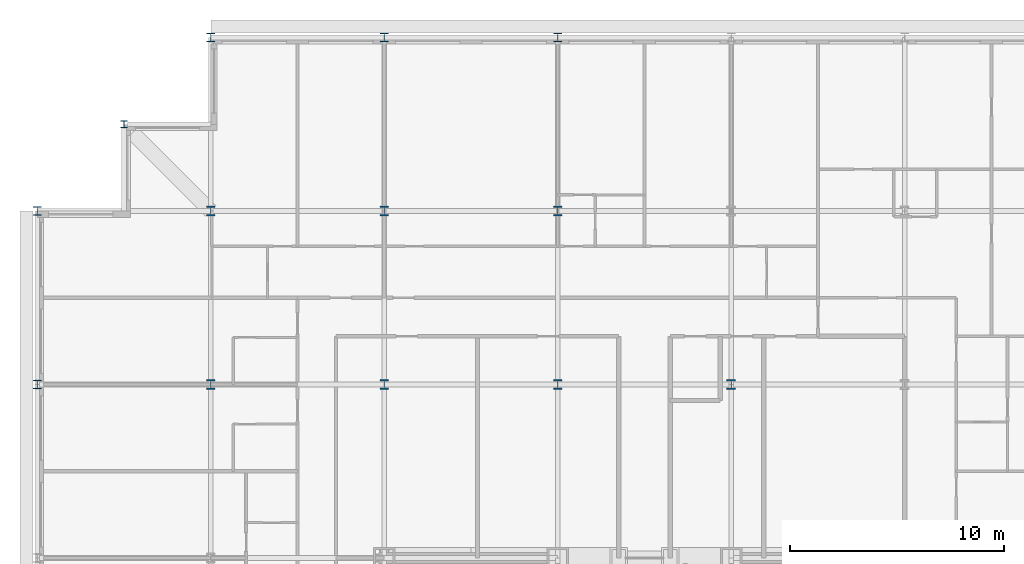
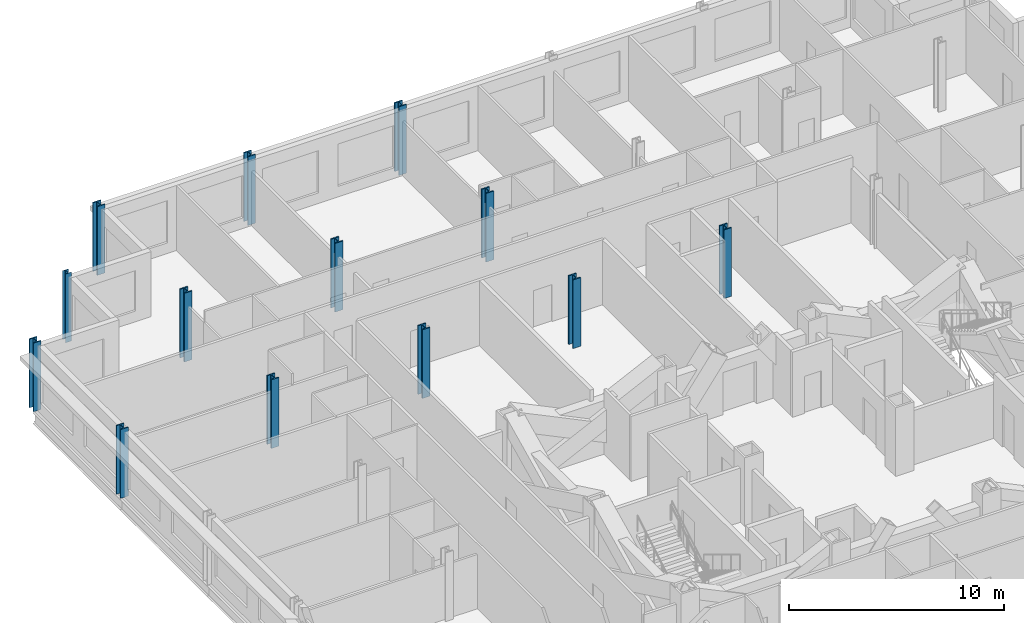
# One storey, part 3 of 15: 13 columns.
"""IFC4 building model written with IfcOpenShell, lengths in metres."""

from ifc_helpers import new_model, si_unit, direction, frame, origin, origin_2d, place, context, subcontext, project, spatial, i_section, extrude, material, material_profile, profile_set, type_object, element, save


model = new_model("IFC4")

# Units and contexts
model_context = context("Model", 3, precision=1e-05, world=origin(), true_north=direction((0.0, 1.0)))
body_context = subcontext(model_context, "Body", "Model", "MODEL_VIEW")
ifc_project = project(units=[si_unit("LENGTHUNIT", "METRE"), si_unit("AREAUNIT", "SQUARE_METRE"), si_unit("VOLUMEUNIT", "CUBIC_METRE"), si_unit("PLANEANGLEUNIT", "RADIAN"), si_unit("MASSUNIT", "GRAM", prefix="KILO")], contexts=[model_context])

# Site, building, storey
site_placement = place(None, origin())
site = spatial("IfcSite", under=ifc_project, at=site_placement, CompositionType="ELEMENT")
building_placement = place(site_placement, origin())
building = spatial("IfcBuilding", under=site, at=building_placement, Name="Kopane Lantern Tower", CompositionType="ELEMENT")
storey_placement = place(building_placement, frame((0.0, 0.0, 254.10009765625)))
storey = spatial("IfcBuildingStorey", under=building, at=storey_placement, Name="L65", CompositionType="ELEMENT", Elevation=254.10009765625)

# Columns
ifc_material_1 = material(Name="Steel S355JR", Category="steel")
ifc_material_profile_1 = material_profile(ifc_material_1, i_section(OverallWidth=0.307373046875, OverallDepth=0.314453125, WebThickness=0.011962890625, FlangeThickness=0.018798828125, FilletRadius=0.01513671875, at=origin_2d()), Name="UC 305x305x118")
ifc_profile_set_1 = profile_set([ifc_material_profile_1], Name="Steel S355JR")
column_type_1 = type_object("IfcColumnType", Name="COLUMN UC 305x305x118", PredefinedType="COLUMN", material=ifc_profile_set_1)
column_placement = place(storey_placement, frame((4.050048828125, 60.75, 0.0), z_axis=(0.0, 0.0, 1.0), x_axis=(1.0, 0.0, 0.0)))
element("IfcColumn", 1, at=column_placement, inside=storey, type_object=column_type_1, Name="Column 4.05/60.75 L65", PredefinedType="COLUMN", context=body_context, shape_type="SweptSolid", body=[
    extrude(i_section(OverallWidth=0.307373046875, OverallDepth=0.314453125, WebThickness=0.011962890625, FlangeThickness=0.018798828125, FilletRadius=0.01513671875, at=origin_2d()), origin(), (0.0, 0.0, 1.0), 3.89990234375),
])
ifc_material_2 = material(Name="Steel S355JR", Category="steel")
ifc_material_profile_2 = material_profile(ifc_material_2, i_section(OverallWidth=0.412109375, OverallDepth=0.4365234375, WebThickness=0.035888671875, FlangeThickness=0.05810546875, FilletRadius=0.01513671875, at=origin_2d()), Name="UC 356x406x467")
ifc_profile_set_2 = profile_set([ifc_material_profile_2], Name="Steel S355JR")
column_type_2 = type_object("IfcColumnType", Name="COLUMN UC 356x406x467", PredefinedType="COLUMN", material=ifc_profile_set_2)
for number, where, z_axis, x_axis, name in (
    (2, (0.0, 48.60009765625, 0.0), (0.0, 0.0, 1.0), (1.0, 0.0, 0.0), "Column 2/H L65"),
    (3, (0.0, 56.699951171875, 0.0), (0.0, 0.0, 1.0), (1.0, 0.0, 0.0), "Column 2/J L65"),
    (4, (8.10009765625, 64.800048828125, 0.0), (0.0, 0.0, 1.0), (1.0, 0.0, 0.0), "Column 3/K L65"),
    (5, (16.199951171875, 64.800048828125, 0.0), (0.0, 0.0, 1.0), (1.0, 0.0, 0.0), "Column 4/K L65"),
    (6, (24.300048828125, 64.800048828125, 0.0), (0.0, 0.0, 1.0), (1.0, 0.0, 0.0), "Column 5/K L65"),
):
    element("IfcColumn", number, at=place(storey_placement, frame(where, z_axis=z_axis, x_axis=x_axis)), inside=storey, type_object=column_type_2, Name=name, PredefinedType="COLUMN", context=body_context, shape_type="SweptSolid", body=[
        extrude(i_section(OverallWidth=0.412109375, OverallDepth=0.4365234375, WebThickness=0.035888671875, FlangeThickness=0.05810546875, FilletRadius=0.01513671875, at=origin_2d()), origin(), (0.0, 0.0, 1.0), 3.89990234375),
    ])
ifc_material_3 = material(Name="Steel S355JR", Category="steel")
ifc_material_profile_3 = material_profile(ifc_material_3, i_section(OverallWidth=0.41845703125, OverallDepth=0.45556640625, WebThickness=0.0419921875, FlangeThickness=0.0673828125, FilletRadius=0.01513671875, at=origin_2d()), Name="UC 356x406x551")
ifc_profile_set_3 = profile_set([ifc_material_profile_3], Name="Steel S355JR")
column_type_3 = type_object("IfcColumnType", Name="COLUMN UC 356x406x551", PredefinedType="COLUMN", material=ifc_profile_set_3)
for number, where, z_axis, x_axis, name in (
    (7, (8.10009765625, 48.60009765625, 0.0), (0.0, 0.0, 1.0), (1.0, 0.0, 0.0), "Column 3/H L65"),
    (8, (8.10009765625, 56.699951171875, 0.0), (0.0, 0.0, 1.0), (1.0, 0.0, 0.0), "Column 3/J L65"),
    (9, (16.199951171875, 48.60009765625, 0.0), (0.0, 0.0, 1.0), (1.0, 0.0, 0.0), "Column 4/H L65"),
    (10, (16.199951171875, 56.699951171875, 0.0), (0.0, 0.0, 1.0), (1.0, 0.0, 0.0), "Column 4/J L65"),
    (11, (24.300048828125, 48.60009765625, 0.0), (0.0, 0.0, 1.0), (1.0, 0.0, 0.0), "Column 5/H L65"),
    (12, (24.300048828125, 56.699951171875, 0.0), (0.0, 0.0, 1.0), (1.0, 0.0, 0.0), "Column 5/J L65"),
    (13, (32.39990234375, 48.60009765625, 0.0), (0.0, 0.0, 1.0), (1.0, 0.0, 0.0), "Column 6/H L65"),
):
    element("IfcColumn", number, at=place(storey_placement, frame(where, z_axis=z_axis, x_axis=x_axis)), inside=storey, type_object=column_type_3, Name=name, PredefinedType="COLUMN", context=body_context, shape_type="SweptSolid", body=[
        extrude(i_section(OverallWidth=0.41845703125, OverallDepth=0.45556640625, WebThickness=0.0419921875, FlangeThickness=0.0673828125, FilletRadius=0.01513671875, at=origin_2d()), origin(), (0.0, 0.0, 1.0), 3.89990234375),
    ])

save(model, "model.ifc")
